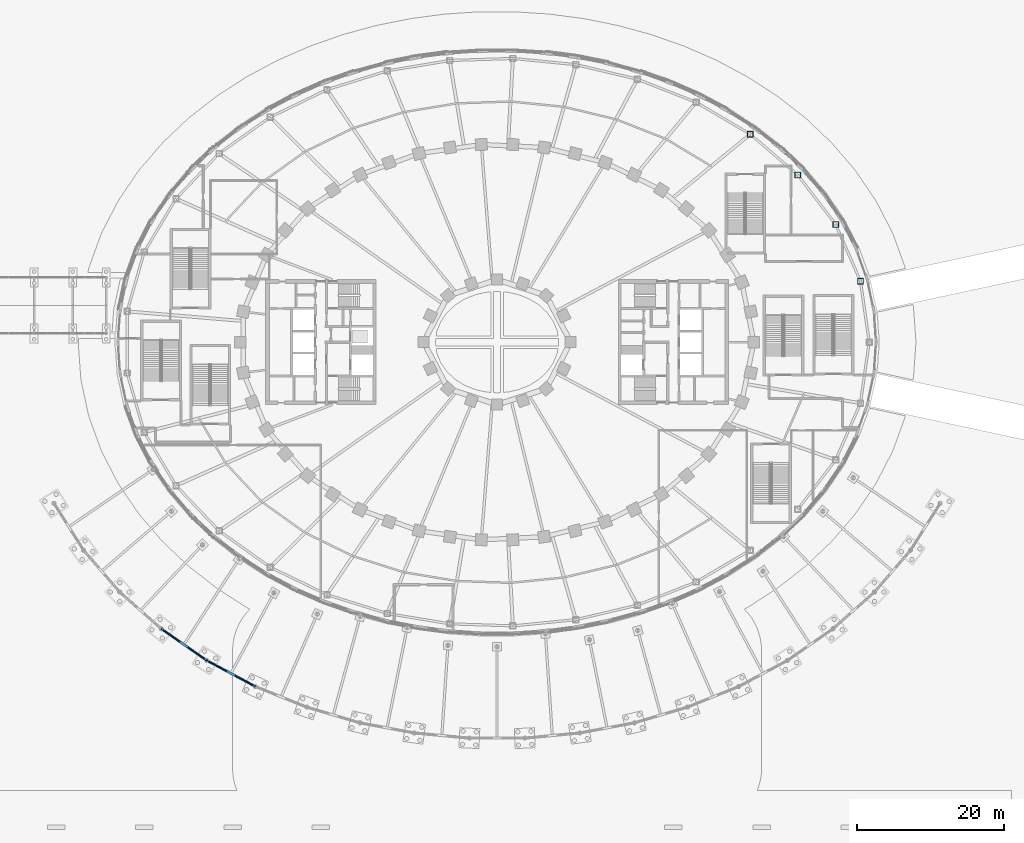
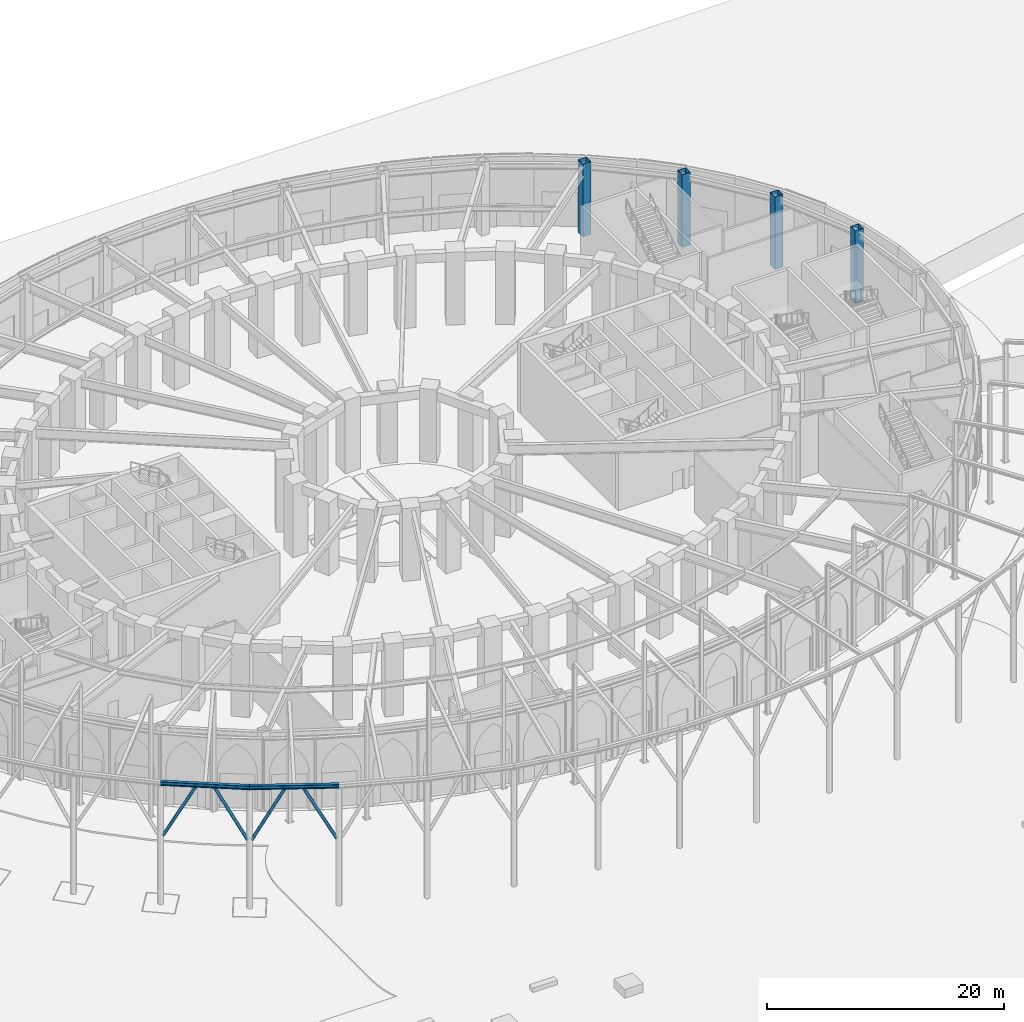
# One storey, part 17 of 79: 4 columns, 4 members, 2 beams.
"""IFC4 building model written with IfcOpenShell, lengths in metres."""

from ifc_helpers import new_model, si_unit, direction, frame, origin, origin_2d, place, context, subcontext, project, spatial, hollow_rectangle, hollow_circle, i_section, extrude, material, material_profile, profile_set, type_object, element, save


model = new_model("IFC4")

# Units and contexts
model_context = context("Model", 3, precision=1e-05, world=origin(), true_north=direction((0.0, 1.0)))
body_context = subcontext(model_context, "Body", "Model", "MODEL_VIEW")
ifc_project = project(units=[si_unit("LENGTHUNIT", "METRE"), si_unit("AREAUNIT", "SQUARE_METRE"), si_unit("VOLUMEUNIT", "CUBIC_METRE"), si_unit("PLANEANGLEUNIT", "RADIAN"), si_unit("MASSUNIT", "GRAM", prefix="KILO")], contexts=[model_context])

# Site, building, storey
site_placement = place(None, origin())
site = spatial("IfcSite", under=ifc_project, at=site_placement, CompositionType="ELEMENT")
building_placement = place(site_placement, origin())
building = spatial("IfcBuilding", under=site, at=building_placement, Name="Noorbagh Ring Tower", CompositionType="ELEMENT")
storey_placement = place(building_placement, origin())
storey = spatial("IfcBuildingStorey", under=building, at=storey_placement, Name="L00", CompositionType="ELEMENT", Elevation=0.0)

# Columns
ifc_material_1 = material(Name="Steel S355", Category="steel")
ifc_material_profile_1 = material_profile(ifc_material_1, hollow_rectangle(XDim=0.800048828125, YDim=0.800048828125, WallThickness=0.0400390625, at=origin_2d()), Name="BOX800x800x40")
ifc_profile_set_1 = profile_set([ifc_material_profile_1], Name="Steel S355")
column_type = type_object("IfcColumnType", Name="GND-COL-BOX800x800x40", PredefinedType="COLUMN", material=ifc_profile_set_1)
for number, where, z_axis, x_axis, name in (
    (1, (49.4609375, 8.304443359375, 0.0), (0.0, 0.0, 1.0), (1.0, 0.0, 0.0), "L00/col/RP-02"),
    (2, (46.081298828125, 16.021240234375, 0.0), (0.0, 0.0, 1.0), (1.0, 0.0, 0.0), "L00/col/RP-03"),
    (3, (40.927734375, 22.75, 0.0), (0.0, 0.0, 1.0), (1.0, 0.0, 0.0), "L00/col/RP-04"),
    (4, (34.46484375, 28.306884765625, 0.0), (0.0, 0.0, 1.0), (1.0, 0.0, 0.0), "L00/col/RP-05"),
):
    element("IfcColumn", number, at=place(storey_placement, frame(where, z_axis=z_axis, x_axis=x_axis)), inside=storey, type_object=column_type, Name=name, PredefinedType="COLUMN", context=body_context, shape_type="SweptSolid", body=[
        extrude(hollow_rectangle(XDim=0.800048828125, YDim=0.800048828125, WallThickness=0.0400390625, at=origin_2d()), origin(), (0.0, 0.0, 1.0), 7.5),
    ])

# Members
ifc_material_2 = material(Name="Steel S355", Category="steel")
ifc_material_profile_2 = material_profile(ifc_material_2, hollow_circle(Radius=0.136474609375, WallThickness=0.012451171875, at=origin_2d()), Name="CHS273x12.5")
ifc_profile_set_2 = profile_set([ifc_material_profile_2], Name="Steel S355")
member_type = type_object("IfcMemberType", Name="GND-CANOPY-BRANCH", PredefinedType="BRACE", material=ifc_profile_set_2)
for number, where, z_axis, x_axis, name in (
    (5, (-45.548583984375, -39.115234375, 6.873291015625), (0.387409779018, -0.269939261478, 0.88150238697), (0.571687725155, 0.820471294384, 0.0), "Canopy branch 4.2"),
    (6, (-39.697021484375, -43.1923828125, 6.873291015625), (-0.387444772852, 0.269934955454, 0.881488325398), (-0.571646825593, -0.820499790853, 0.0), "Canopy branch 5.1"),
):
    element("IfcMember", number, at=place(storey_placement, frame(where, z_axis=z_axis, x_axis=x_axis)), inside=storey, type_object=member_type, Name=name, PredefinedType="BRACE", context=body_context, shape_type="SweptSolid", body=[
        extrude(hollow_circle(Radius=0.136474609375, WallThickness=0.012451171875, at=origin_2d()), origin(), (0.0, 0.0, 1.0), 5.929443359375),
    ])
for number, where, z_axis, x_axis, name in (
    (7, (-39.356689453125, -43.401123046875, 6.873291015625), (0.416302445679, -0.222911822857, 0.881477505642), (0.472044777021, 0.881574573413, 0.0), "Canopy branch 5.2"),
    (8, (-33.068115234375, -46.768798828125, 6.873291015625), (-0.416302445679, 0.222911822857, 0.881477505642), (-0.472044777021, -0.881574573413, 0.0), "Canopy branch 6.1"),
):
    element("IfcMember", number, at=place(storey_placement, frame(where, z_axis=z_axis, x_axis=x_axis)), inside=storey, type_object=member_type, Name=name, PredefinedType="BRACE", context=body_context, shape_type="SweptSolid", body=[
        extrude(hollow_circle(Radius=0.136474609375, WallThickness=0.012451171875, at=origin_2d()), origin(), (0.0, 0.0, 1.0), 5.9296875),
    ])

# Beams
ifc_material_3 = material(Name="Steel S355", Category="steel")
ifc_material_profile_3 = material_profile(ifc_material_3, i_section(OverallWidth=0.300048828125, OverallDepth=0.39990234375, WebThickness=0.013427734375, FlangeThickness=0.02392578125, FilletRadius=0.027099609375, at=origin_2d()), Name="HEB400")
ifc_profile_set_3 = profile_set([ifc_material_profile_3], Name="Steel S355")
beam_type = type_object("IfcBeamType", Name="GND-CANOPY-RING", PredefinedType="BEAM", material=ifc_profile_set_3)
beam_1_placement = place(storey_placement, frame((-45.712890625, -39.0009765625, 12.25), z_axis=(0.820480173426, -0.571674981974, 0.0), x_axis=(0.571674981974, 0.820480173426, 0.0)))
element("IfcBeam", 9, at=beam_1_placement, inside=storey, type_object=beam_type, Name="Canopy ring beam", PredefinedType="BEAM", context=body_context, shape_type="SweptSolid", body=[
    extrude(i_section(OverallWidth=0.300048828125, OverallDepth=0.39990234375, WebThickness=0.013427734375, FlangeThickness=0.02392578125, FilletRadius=0.027099609375, at=origin_2d()), origin(), (0.0, 0.0, 1.0), 7.531982421875),
])
beam_2_placement = place(storey_placement, frame((-39.532958984375, -43.306884765625, 12.25), z_axis=(0.88156764003, -0.472057725339, 0.0), x_axis=(0.472057725339, 0.88156764003, 0.0)))
element("IfcBeam", 10, at=beam_2_placement, inside=storey, type_object=beam_type, Name="Canopy ring beam", PredefinedType="BEAM", context=body_context, shape_type="SweptSolid", body=[
    extrude(i_section(OverallWidth=0.300048828125, OverallDepth=0.39990234375, WebThickness=0.013427734375, FlangeThickness=0.02392578125, FilletRadius=0.027099609375, at=origin_2d()), origin(), (0.0, 0.0, 1.0), 7.533203125),
])

save(model, "model.ifc")
